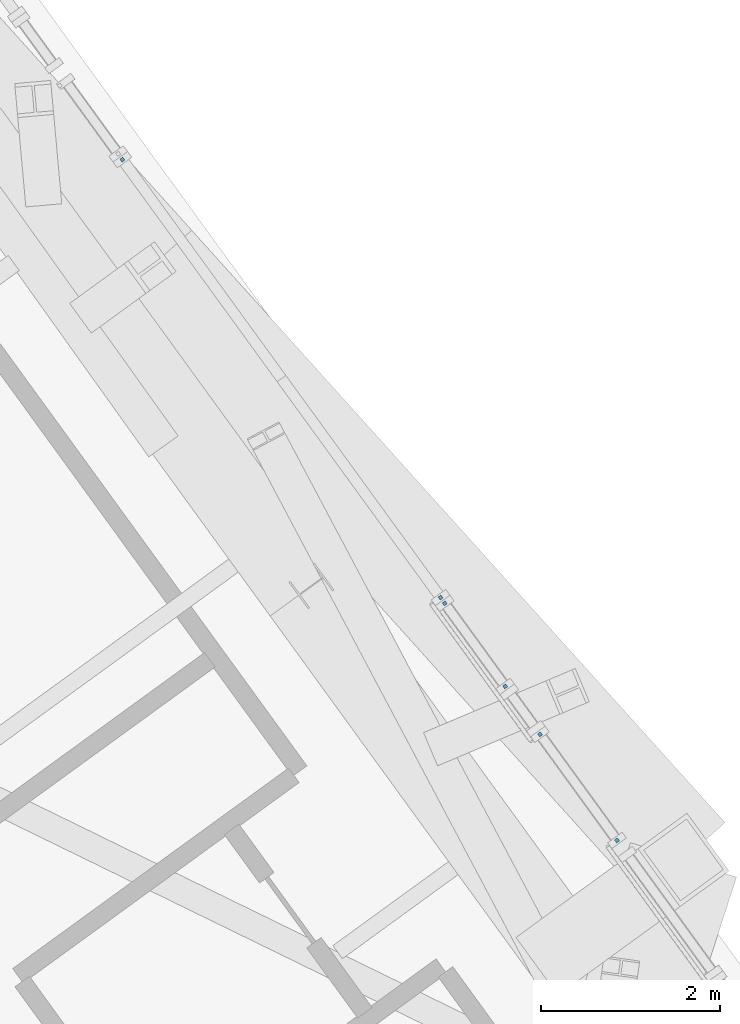
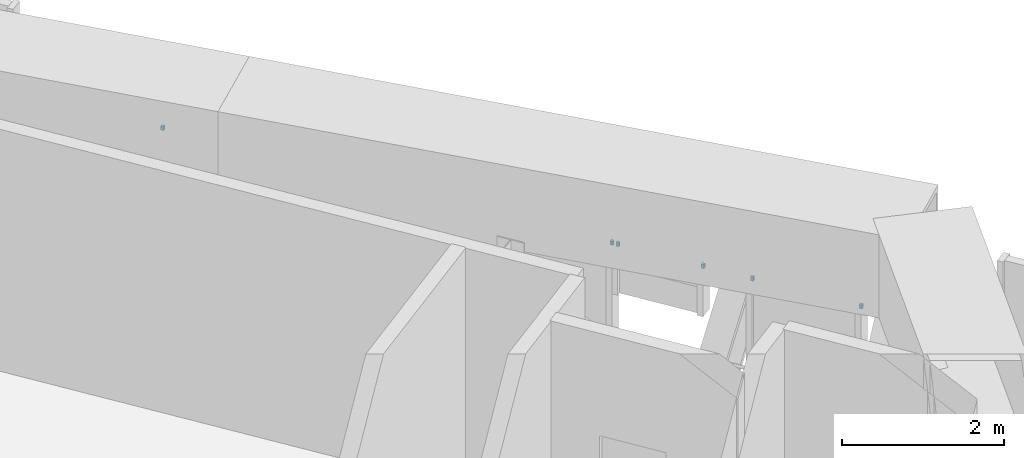
# One storey, part 19 of 23: 6 discrete accessories.
"""IFC4 building model written with IfcOpenShell, lengths in metres."""

from ifc_helpers import new_model, si_unit, direction, frame, origin, origin_2d, place, context, subcontext, project, spatial, rectangle, extrude, source, transform, mapped, material, element, save


model = new_model("IFC4")

# Units and contexts
model_context = context("Model", 3, precision=1e-05, world=origin(), true_north=direction((0.0, 1.0)))
body_context = subcontext(model_context, "Body", "Model", "MODEL_VIEW")
ifc_project = project(units=[si_unit("LENGTHUNIT", "METRE"), si_unit("AREAUNIT", "SQUARE_METRE"), si_unit("VOLUMEUNIT", "CUBIC_METRE"), si_unit("PLANEANGLEUNIT", "RADIAN"), si_unit("MASSUNIT", "GRAM", prefix="KILO")], contexts=[model_context])

# Site, building, storey
site_placement = place(None, origin())
site = spatial("IfcSite", under=ifc_project, at=site_placement, CompositionType="ELEMENT")
building_placement = place(site_placement, origin())
building = spatial("IfcBuilding", under=site, at=building_placement, Name="Triune Harvest Tower", CompositionType="ELEMENT")
storey_placement = place(building_placement, frame((0.0, 0.0, 255.699951171875)))
storey = spatial("IfcBuildingStorey", under=building, at=storey_placement, Name="L67", CompositionType="ELEMENT", Elevation=255.699951171875)

# Discrete accessories
ifc_material = material(Name="Steel ASTM A992 Gr 50", Category="steel")
shared_shape = source(origin(), body_context, "Body", "SweptSolid", [
    extrude(rectangle(XDim=0.0400390625, YDim=0.0400390625, at=origin_2d()), origin(), (0.0, 0.0, 1.0), 0.06005859375),
])
for number, where, z_axis, x_axis, name in (
    (1, (27.748291015625, -4.16015625, 2.330078125), (0.0, 0.0, 1.0), (-0.587775368241, 0.809024175466, 0.0), "Mullion end bracket B6-F1 L67.201 upper"),
    (2, (26.885498046875, -2.97265625, 2.330078125), (0.0, 0.0, 1.0), (-0.587775368241, 0.809024175466, 0.0), "Mullion end bracket B6-F1 L67.201 upper"),
    (3, (26.4951171875, -2.43505859375, 2.330078125), (0.0, 0.0, 1.0), (-0.587819139801, 0.808992372574, 0.0), "Mullion end bracket B6-F1 L67.501 upper"),
    (4, (25.819091796875, -1.5048828125, 2.330078125), (0.0, 0.0, 1.0), (-0.587819139801, 0.808992372574, 0.0), "Mullion end bracket B6-F1 L67.501 upper"),
    (5, (25.772216796875, -1.440185546875, 2.330078125), (0.0, 0.0, 1.0), (-0.587788076291, 0.809014942612, 0.0), "Mullion end bracket B6-F1 L67.601 upper"),
    (6, (22.208251953125, 3.46484375, 2.330078125), (0.0, 0.0, 1.0), (-0.587788076291, 0.809014942612, 0.0), "Mullion end bracket B6-F1 L67.601 upper"),
):
    element("IfcDiscreteAccessory", number, at=place(storey_placement, frame(where, z_axis=z_axis, x_axis=x_axis)), inside=storey, material=ifc_material, Name=name, ObjectType="BRACKET", PredefinedType="USERDEFINED", context=body_context, shape_type="MappedRepresentation", body=[
        mapped(shared_shape, transform((0.0, 0.0, 0.0), scale=1.0)),
    ])

save(model, "model.ifc")
